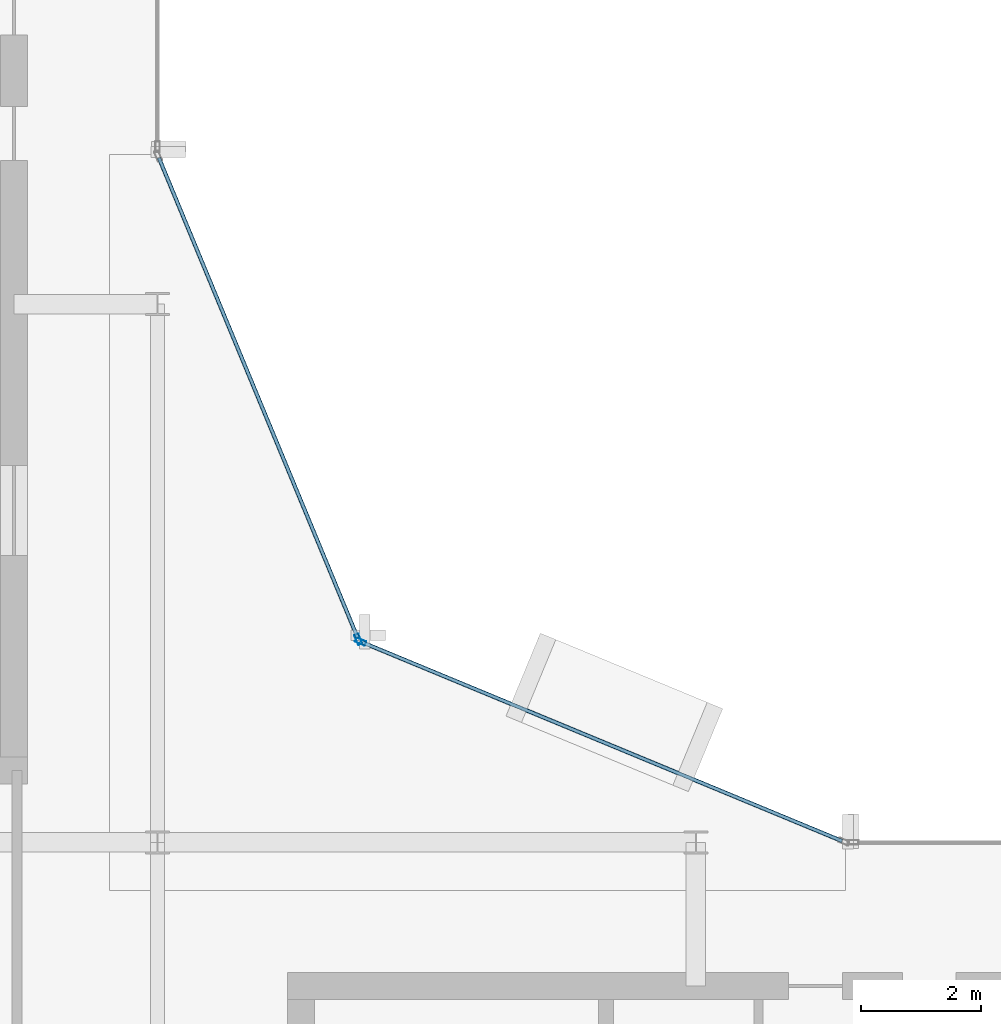
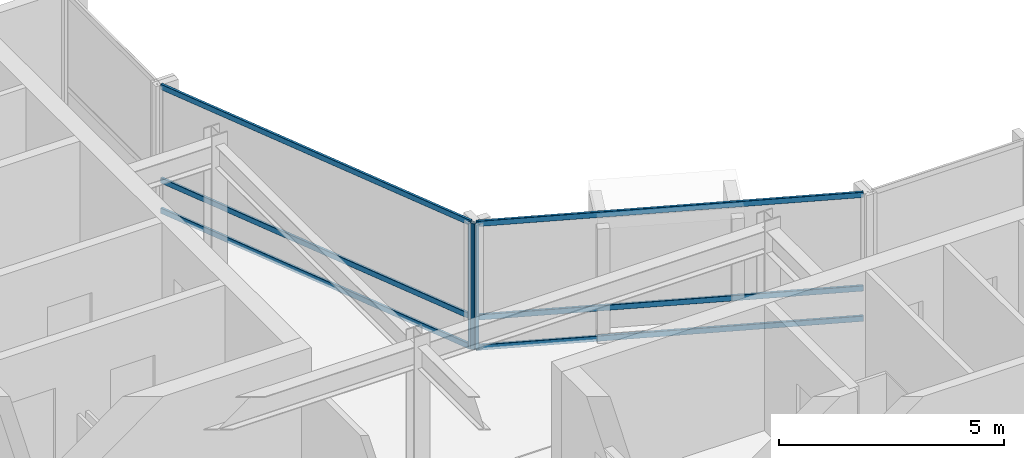
# One storey, part 8 of 19: 8 members, 2 elements without a shape of their own.
"""IFC4 building model written with IfcOpenShell, lengths in metres."""

from ifc_helpers import new_model, si_unit, direction, frame, origin, origin_2d, place, context, subcontext, project, spatial, hollow_rectangle, extrude, material, layer, layer_set, material_profile, profile_set, type_object, element, aggregate, save


model = new_model("IFC4")

# Units and contexts
model_context = context("Model", 3, precision=1e-05, world=origin(), true_north=direction((0.0, 1.0)))
body_context = subcontext(model_context, "Body", "Model", "MODEL_VIEW")
ifc_project = project(units=[si_unit("LENGTHUNIT", "METRE"), si_unit("AREAUNIT", "SQUARE_METRE"), si_unit("VOLUMEUNIT", "CUBIC_METRE"), si_unit("PLANEANGLEUNIT", "RADIAN"), si_unit("MASSUNIT", "GRAM", prefix="KILO")], contexts=[model_context])

# Site, building, storey
site_placement = place(None, origin())
site = spatial("IfcSite", under=ifc_project, at=site_placement, CompositionType="ELEMENT")
building_placement = place(site_placement, origin())
building = spatial("IfcBuilding", under=site, at=building_placement, Name="Solvaryn Broadcast Tower", CompositionType="ELEMENT")
storey_placement = place(building_placement, frame((0.0, 0.0, 251.89990234375)))
storey = spatial("IfcBuildingStorey", under=building, at=storey_placement, Name="L63", CompositionType="ELEMENT", Elevation=251.89990234375)

# Curtain wall, member
ifc_material_1 = material(Name="Aluminium and Terracotta Unitised Curtain Wall", Category="masonry")
ifc_layer = layer(ifc_material_1, 0.199951171875)
ifc_layer_set = layer_set([ifc_layer], Name="CW-SYS2-LOWMID")
curtain_wall_type = type_object("IfcCurtainWallType", Name="CW-SYS2-LOWMID", PredefinedType="NOTDEFINED", material=ifc_layer_set)
curtain_wall_1_placement = place(storey_placement, origin())
curtain_wall_1 = element("IfcCurtainWall", 1, at=curtain_wall_1_placement, inside=storey, type_object=curtain_wall_type, Name="L63 Curtain Wall CN1", PredefinedType="NOTDEFINED")
ifc_material_2 = material(Name="Anodised Aluminium 6063-T6", Category="aluminium")
ifc_material_profile_1 = material_profile(ifc_material_2, hollow_rectangle(XDim=0.074951171875, YDim=0.179931640625, WallThickness=0.00390625, InnerFilletRadius=0.00390625, OuterFilletRadius=0.008056640625, at=origin_2d()))
ifc_profile_set_1 = profile_set([ifc_material_profile_1], Name="Anodised Aluminium 6063-T6")
member_type_1 = type_object("IfcMemberType", Name="CW-MUL-180", PredefinedType="MULLION", material=ifc_profile_set_1)
member_1_placement = place(storey_placement, frame((30.395751953125, 30.3564453125, 0.0), z_axis=(0.0, 0.0, 1.0), x_axis=(-0.382646127145, -0.923894983957, 0.0)))
member_1 = element("IfcMember", 2, at=member_1_placement, type_object=member_type_1, Name="CWS2 mullion 2", PredefinedType="MULLION", context=body_context, shape_type="SweptSolid", body=[
    extrude(hollow_rectangle(XDim=0.074951171875, YDim=0.179931640625, WallThickness=0.00390625, InnerFilletRadius=0.00390625, OuterFilletRadius=0.008056640625, at=origin_2d()), origin(), (0.0, 0.0, 1.0), 3.420166015625),
])

curtain_wall_2_placement = place(storey_placement, origin())
curtain_wall_2 = element("IfcCurtainWall", 3, at=curtain_wall_2_placement, inside=storey, type_object=curtain_wall_type, Name="L63 Curtain Wall CN2", PredefinedType="NOTDEFINED")
member_2_placement = place(storey_placement, frame((30.3564453125, 30.395751953125, 0.0), z_axis=(0.0, 0.0, 1.0), x_axis=(-0.923894983957, -0.382646127145, 0.0)))
member_2 = element("IfcMember", 4, at=member_2_placement, type_object=member_type_1, Name="CWS2 mullion 1", PredefinedType="MULLION", context=body_context, shape_type="SweptSolid", body=[
    extrude(hollow_rectangle(XDim=0.074951171875, YDim=0.179931640625, WallThickness=0.00390625, InnerFilletRadius=0.00390625, OuterFilletRadius=0.008056640625, at=origin_2d()), origin(), (0.0, 0.0, 1.0), 3.420166015625),
])

# Member
ifc_material_3 = material(Name="Anodised Aluminium 6063-T6", Category="aluminium")
ifc_material_profile_2 = material_profile(ifc_material_3, hollow_rectangle(XDim=0.06494140625, YDim=0.14990234375, WallThickness=0.00390625, InnerFilletRadius=0.00390625, OuterFilletRadius=0.008056640625, at=origin_2d()))
ifc_profile_set_2 = profile_set([ifc_material_profile_2], Name="Anodised Aluminium 6063-T6")
member_type_2 = type_object("IfcMemberType", Name="CW-TRN-150", PredefinedType="USERDEFINED", material=ifc_profile_set_2)
member_3_placement = place(storey_placement, frame((38.444580078125, 27.02294921875, 0.030029296875), z_axis=(-0.923899282177, 0.382635748975, 0.0), x_axis=(-0.382635748975, -0.923899282177, 0.0)))
member_3 = element("IfcMember", 5, at=member_3_placement, type_object=member_type_2, Name="CWS2 transom 1.1", ObjectType="TRANSOM", PredefinedType="USERDEFINED", context=body_context, shape_type="SweptSolid", body=[
    extrude(hollow_rectangle(XDim=0.06494140625, YDim=0.14990234375, WallThickness=0.00390625, InnerFilletRadius=0.00390625, OuterFilletRadius=0.008056640625, at=origin_2d()), origin(), (0.0, 0.0, 1.0), 8.681884765625),
])

member_4_placement = place(storey_placement, frame((38.444580078125, 27.02294921875, 0.85009765625), z_axis=(-0.923899282177, 0.382635748975, 0.0), x_axis=(-0.382635748975, -0.923899282177, 0.0)))
member_4 = element("IfcMember", 6, at=member_4_placement, type_object=member_type_2, Name="CWS2 transom 1.2", ObjectType="TRANSOM", PredefinedType="USERDEFINED", context=body_context, shape_type="SweptSolid", body=[
    extrude(hollow_rectangle(XDim=0.06494140625, YDim=0.14990234375, WallThickness=0.00390625, InnerFilletRadius=0.00390625, OuterFilletRadius=0.008056640625, at=origin_2d()), origin(), (0.0, 0.0, 1.0), 8.681884765625),
])

member_5_placement = place(storey_placement, frame((38.444580078125, 27.02294921875, 3.39013671875), z_axis=(-0.923899282177, 0.382635748975, 0.0), x_axis=(-0.382635748975, -0.923899282177, 0.0)))
member_5 = element("IfcMember", 7, at=member_5_placement, type_object=member_type_2, Name="CWS2 transom 1.3", ObjectType="TRANSOM", PredefinedType="USERDEFINED", context=body_context, shape_type="SweptSolid", body=[
    extrude(hollow_rectangle(XDim=0.06494140625, YDim=0.14990234375, WallThickness=0.00390625, InnerFilletRadius=0.00390625, OuterFilletRadius=0.008056640625, at=origin_2d()), origin(), (0.0, 0.0, 1.0), 8.681884765625),
])

aggregate(curtain_wall_1, [member_1, member_3, member_4, member_5])

member_6_placement = place(storey_placement, frame((30.344970703125, 30.42333984375, 0.030029296875), z_axis=(-0.382635748975, 0.923899282177, 0.0), x_axis=(-0.923899282177, -0.382635748975, 0.0)))
member_6 = element("IfcMember", 8, at=member_6_placement, type_object=member_type_2, Name="CWS2 transom 1.1", ObjectType="TRANSOM", PredefinedType="USERDEFINED", context=body_context, shape_type="SweptSolid", body=[
    extrude(hollow_rectangle(XDim=0.06494140625, YDim=0.14990234375, WallThickness=0.00390625, InnerFilletRadius=0.00390625, OuterFilletRadius=0.008056640625, at=origin_2d()), origin(), (0.0, 0.0, 1.0), 8.681884765625),
])

member_7_placement = place(storey_placement, frame((30.344970703125, 30.42333984375, 0.85009765625), z_axis=(-0.382635748975, 0.923899282177, 0.0), x_axis=(-0.923899282177, -0.382635748975, 0.0)))
member_7 = element("IfcMember", 9, at=member_7_placement, type_object=member_type_2, Name="CWS2 transom 1.2", ObjectType="TRANSOM", PredefinedType="USERDEFINED", context=body_context, shape_type="SweptSolid", body=[
    extrude(hollow_rectangle(XDim=0.06494140625, YDim=0.14990234375, WallThickness=0.00390625, InnerFilletRadius=0.00390625, OuterFilletRadius=0.008056640625, at=origin_2d()), origin(), (0.0, 0.0, 1.0), 8.681884765625),
])

member_8_placement = place(storey_placement, frame((30.344970703125, 30.42333984375, 3.39013671875), z_axis=(-0.382635748975, 0.923899282177, 0.0), x_axis=(-0.923899282177, -0.382635748975, 0.0)))
member_8 = element("IfcMember", 10, at=member_8_placement, type_object=member_type_2, Name="CWS2 transom 1.3", ObjectType="TRANSOM", PredefinedType="USERDEFINED", context=body_context, shape_type="SweptSolid", body=[
    extrude(hollow_rectangle(XDim=0.06494140625, YDim=0.14990234375, WallThickness=0.00390625, InnerFilletRadius=0.00390625, OuterFilletRadius=0.008056640625, at=origin_2d()), origin(), (0.0, 0.0, 1.0), 8.681884765625),
])

aggregate(curtain_wall_2, [member_2, member_6, member_7, member_8])

save(model, "model.ifc")
